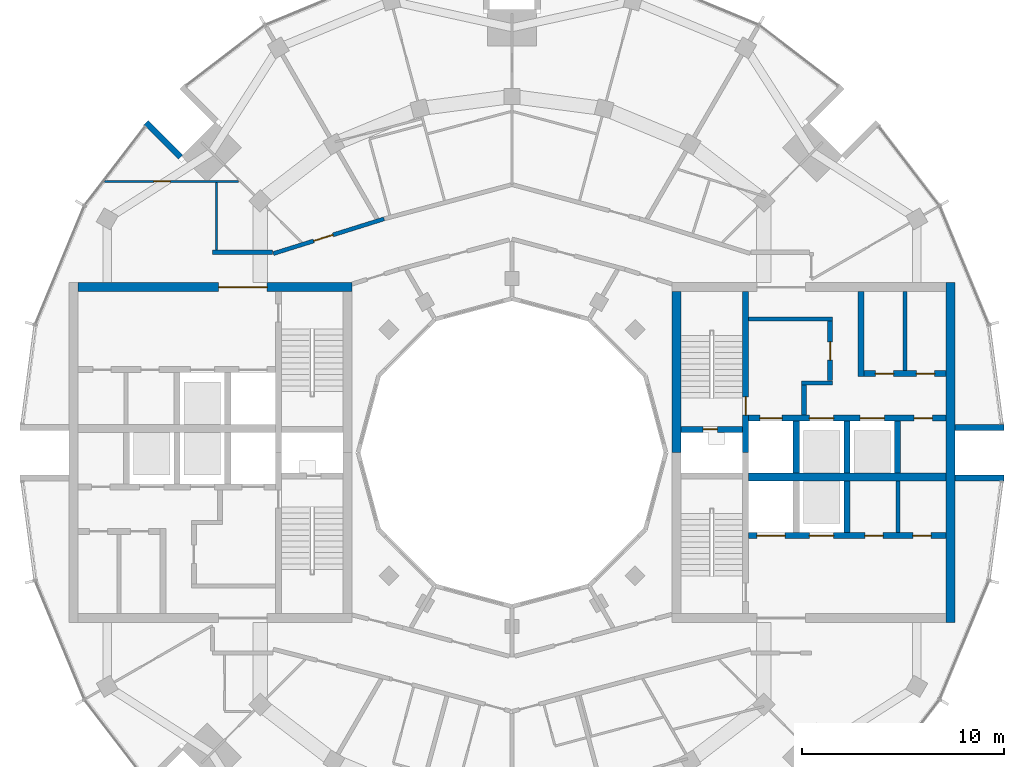
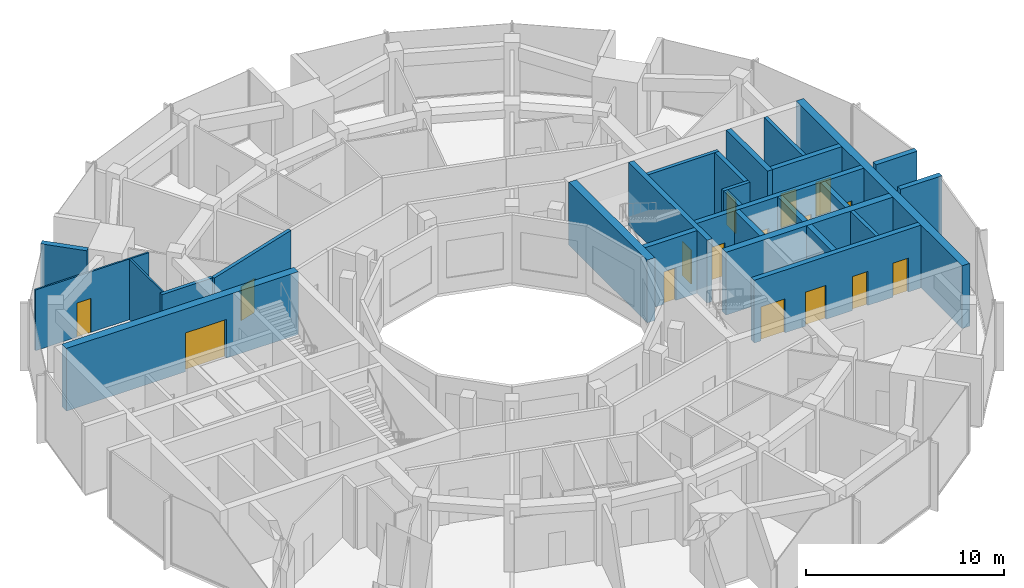
# One storey, part 11 of 15: 27 walls, 16 doors, 16 openings.
"""IFC4 building model written with IfcOpenShell, lengths in metres."""

from ifc_helpers import new_model, si_unit, direction, frame, frame_2d, origin, place, context, subcontext, project, spatial, rectangle, extrude, material, layer, layer_set, type_object, element, fill, save


model = new_model("IFC4")

# Units and contexts
model_context = context("Model", 3, precision=1e-05, world=origin(), true_north=direction((0.0, 1.0)))
body_context = subcontext(model_context, "Body", "Model", "MODEL_VIEW")
ifc_project = project(units=[si_unit("LENGTHUNIT", "METRE"), si_unit("AREAUNIT", "SQUARE_METRE"), si_unit("VOLUMEUNIT", "CUBIC_METRE"), si_unit("PLANEANGLEUNIT", "RADIAN"), si_unit("MASSUNIT", "GRAM", prefix="KILO")], contexts=[model_context])

# Site, building, storey
site_placement = place(None, origin())
site = spatial("IfcSite", under=ifc_project, at=site_placement, CompositionType="ELEMENT")
building_placement = place(site_placement, origin())
building = spatial("IfcBuilding", under=site, at=building_placement, Name="Torre Brocal", CompositionType="ELEMENT")
storey_placement = place(building_placement, frame((0.0, 0.0, 284.10009765625)))
storey = spatial("IfcBuildingStorey", under=building, at=storey_placement, Name="L65", CompositionType="ELEMENT", Elevation=284.10009765625)

# Walls
ifc_material_1 = material(Name="Masonry block", Category="masonry")
ifc_layer_1 = layer(ifc_material_1, 0.199951171875)
ifc_layer_set_1 = layer_set([ifc_layer_1], Name="Masonry block")
wall_type_1 = type_object("IfcWallType", Name="CORE PARTITION 200", PredefinedType="PARTITIONING", material=ifc_layer_set_1)
wall_1_placement = place(storey_placement, frame((99.074951171875, 71.050048828125, 0.0), z_axis=(0.0, 0.0, 1.0), x_axis=(0.0, 1.0, 0.0)))
element("IfcWall", 1, at=wall_1_placement, inside=storey, type_object=wall_type_1, Name="Wall CP200", PredefinedType="PARTITIONING", context=body_context, shape_type="SweptSolid", body=[
    extrude(rectangle(XDim=2.550048828125, YDim=0.199951171875, at=frame_2d((1.27490234375, 0.0))), origin(), (0.0, 0.0, 1.0), 3.8798828125),
])
wall_2_placement = place(storey_placement, frame((99.425048828125, 79.050048828125, 0.0), z_axis=(0.0, 0.0, 1.0), x_axis=(0.0, 1.0, 0.0)))
element("IfcWall", 2, at=wall_2_placement, inside=storey, type_object=wall_type_1, Name="Wall CP200", PredefinedType="PARTITIONING", context=body_context, shape_type="SweptSolid", body=[
    extrude(rectangle(XDim=3.89990234375, YDim=0.199951171875, at=frame_2d((1.949951171875, 0.0))), origin(), (0.0, 0.0, 1.0), 3.8798828125),
])
ifc_material_2 = material(Name="Concrete C50", Category="concrete")
ifc_layer_2 = layer(ifc_material_2, 0.199951171875)
ifc_layer_set_2 = layer_set([ifc_layer_2], Name="Concrete C50")
wall_type_2 = type_object("IfcWallType", Name="CORE WALL 200 C50", PredefinedType="SHEAR", material=ifc_layer_set_2)
wall_3_placement = place(storey_placement, frame((91.699951171875, 81.60009765625, 0.0), z_axis=(0.0, 0.0, 1.0), x_axis=(1.0, 0.0, 0.0)))
element("IfcWall", 3, at=wall_3_placement, inside=storey, type_object=wall_type_2, Name="Wall CW200-50", PredefinedType="SHEAR", context=body_context, shape_type="SweptSolid", body=[
    extrude(rectangle(XDim=4.150146484375, YDim=0.199951171875, at=frame_2d((2.0751953125, 0.0))), origin(), (0.0, 0.0, 1.0), 3.8798828125),
])
wall_4_placement = place(storey_placement, frame((94.300048828125, 78.449951171875, 0.0), z_axis=(0.0, 0.0, 1.0), x_axis=(1.0, 0.0, 0.0)))
element("IfcWall", 4, at=wall_4_placement, inside=storey, type_object=wall_type_2, Name="Wall CW200-50", PredefinedType="SHEAR", context=body_context, shape_type="SweptSolid", body=[
    extrude(rectangle(XDim=1.550048828125, YDim=0.199951171875, at=frame_2d((0.77490234375, 0.0))), origin(), (0.0, 0.0, 1.0), 3.8798828125),
])

# Wall, opening, door
ifc_material_3 = material(Name="Concrete C50", Category="concrete")
ifc_layer_3 = layer(ifc_material_3, 0.25)
ifc_layer_set_3 = layer_set([ifc_layer_3], Name="Concrete C50")
wall_type_3 = type_object("IfcWallType", Name="CORE WALL 250 C50", PredefinedType="SHEAR", material=ifc_layer_set_3)
wall_5_placement = place(storey_placement, frame((95.72509765625, 78.550048828125, 0.0), z_axis=(0.0, 0.0, 1.0), x_axis=(0.0, 1.0, 0.0)))
wall_5 = element("IfcWall", 5, at=wall_5_placement, inside=storey, type_object=wall_type_3, Name="Wall CW250-50", PredefinedType="SHEAR", context=body_context, shape_type="SweptSolid", body=[
    extrude(rectangle(XDim=2.949951171875, YDim=0.25, at=frame_2d((1.47509765625, 0.0))), origin(), (0.0, 0.0, 1.0), 3.8798828125),
])
opening_1_placement = place(wall_5_placement, frame((1.02490234375, 0.0, 0.0)))
opening_1 = element("IfcOpeningElement", 6, at=opening_1_placement, cuts=wall_5, Name="Opening E-D26", PredefinedType="OPENING", context=body_context, shape_type="SweptSolid", body=[
    extrude(rectangle(XDim=0.89990234375, YDim=2.10009765625, at=frame_2d((0.449951171875, 1.050048828125))), frame((0.0, 0.135009765625, 0.0), z_axis=(0.0, -1.0, 0.0), x_axis=(1.0, 0.0, 0.0)), (0.0, 0.0, 1.0), 0.27001953125),
])
ifc_material_4 = material(Name="Steel A653", Category="steel")
door_type_1 = type_object("IfcDoorType", Name="LOBBY DOOR FD120 900X2100", OperationType="SINGLE_SWING_RIGHT", PredefinedType="DOOR", material=ifc_material_4)
door_1_placement = place(opening_1_placement, origin())
door_1 = element("IfcDoor", 7, at=door_1_placement, inside=storey, type_object=door_type_1, Name="Door E-D26", OperationType="SINGLE_SWING_LEFT", OverallHeight=2.10009765625, OverallWidth=0.89990234375, PredefinedType="DOOR", context=body_context, shape_type="SweptSolid", body=[
    extrude(rectangle(XDim=0.89990234375, YDim=2.10009765625, at=frame_2d((0.449951171875, 1.050048828125))), frame((0.0, 0.02490234375, 0.0), z_axis=(0.0, -1.0, 0.0), x_axis=(1.0, 0.0, 0.0)), (0.0, 0.0, 1.0), 0.050048828125),
])
fill(opening_1, door_1)

# Wall
wall_6_placement = place(storey_placement, frame((94.425048828125, 76.85009765625, 0.0), z_axis=(0.0, 0.0, 1.0), x_axis=(0.0, 1.0, 0.0)))
element("IfcWall", 8, at=wall_6_placement, inside=storey, type_object=wall_type_3, Name="Wall CW250-50", PredefinedType="SHEAR", context=body_context, shape_type="SweptSolid", body=[
    extrude(rectangle(XDim=1.5, YDim=0.25, at=frame_2d((0.75, 0.0))), origin(), (0.0, 0.0, 1.0), 3.8798828125),
])

# Wall, opening, door
ifc_material_5 = material(Name="Concrete C50", Category="concrete")
ifc_layer_4 = layer(ifc_material_5, 0.300048828125)
ifc_layer_set_4 = layer_set([ifc_layer_4], Name="Concrete C50")
wall_type_4 = type_object("IfcWallType", Name="CORE WALL 300 C50", PredefinedType="SHEAR", material=ifc_layer_set_4)
wall_7_placement = place(storey_placement, frame((91.550048828125, 75.0, 0.0), z_axis=(0.0, 0.0, 1.0), x_axis=(0.0, 1.0, 0.0)))
wall_7 = element("IfcWall", 9, at=wall_7_placement, inside=storey, type_object=wall_type_4, Name="Wall CW300-50", PredefinedType="SHEAR", context=body_context, shape_type="SweptSolid", body=[
    extrude(rectangle(XDim=7.949951171875, YDim=0.300048828125, at=frame_2d((3.97509765625, 0.0))), origin(), (0.0, 0.0, 1.0), 3.8798828125),
])
opening_2_placement = place(wall_7_placement, frame((1.85009765625, 0.0, 0.0)))
opening_2 = element("IfcOpeningElement", 10, at=opening_2_placement, cuts=wall_7, Name="Opening E-D02", PredefinedType="OPENING", context=body_context, shape_type="SweptSolid", body=[
    extrude(rectangle(XDim=0.89990234375, YDim=2.10009765625, at=frame_2d((0.449951171875, 1.050048828125))), frame((0.0, 0.159912109375, 0.0), z_axis=(0.0, -1.0, 0.0), x_axis=(1.0, 0.0, 0.0)), (0.0, 0.0, 1.0), 0.320068359375),
])
ifc_material_6 = material(Name="Steel A653", Category="steel")
door_type_2 = type_object("IfcDoorType", Name="STAIR DOOR FD120 900X2100", OperationType="SINGLE_SWING_RIGHT", PredefinedType="DOOR", material=ifc_material_6)
door_2_placement = place(opening_2_placement, origin())
door_2 = element("IfcDoor", 11, at=door_2_placement, inside=storey, type_object=door_type_2, Name="Door E-D02", OperationType="SINGLE_SWING_LEFT", OverallHeight=2.10009765625, OverallWidth=0.89990234375, PredefinedType="DOOR", context=body_context, shape_type="SweptSolid", body=[
    extrude(rectangle(XDim=0.89990234375, YDim=2.10009765625, at=frame_2d((0.449951171875, 1.050048828125))), frame((0.0, 0.02490234375, 0.0), z_axis=(0.0, -1.0, 0.0), x_axis=(1.0, 0.0, 0.0)), (0.0, 0.0, 1.0), 0.050048828125),
])
fill(opening_2, door_2)

wall_8_placement = place(storey_placement, frame((88.35009765625, 76.14990234375, 0.0), z_axis=(0.0, 0.0, 1.0), x_axis=(1.0, 0.0, 0.0)))
wall_8 = element("IfcWall", 12, at=wall_8_placement, inside=storey, type_object=wall_type_4, Name="Wall CW300-50", PredefinedType="SHEAR", context=body_context, shape_type="SweptSolid", body=[
    extrude(rectangle(XDim=3.0498046875, YDim=0.300048828125, at=frame_2d((1.52490234375, 0.0))), origin(), (0.0, 0.0, 1.0), 3.8798828125),
])
opening_3_placement = place(wall_8_placement, frame((1.10009765625, 0.0, 0.0)))
opening_3 = element("IfcOpeningElement", 13, at=opening_3_placement, cuts=wall_8, Name="Opening E-D01", PredefinedType="OPENING", context=body_context, shape_type="SweptSolid", body=[
    extrude(rectangle(XDim=0.699951171875, YDim=2.0, at=frame_2d((0.35009765625, 1.0))), frame((0.0, 0.159912109375, 0.0), z_axis=(0.0, -1.0, 0.0), x_axis=(1.0, 0.0, 0.0)), (0.0, 0.0, 1.0), 0.320068359375),
])
ifc_material_7 = material(Name="Steel A653", Category="steel")
door_type_3 = type_object("IfcDoorType", Name="RISER DOOR FD120 700X2000", OperationType="SINGLE_SWING_LEFT", PredefinedType="DOOR", material=ifc_material_7)
door_3_placement = place(opening_3_placement, frame((0.699951171875, 0.0, 0.0), z_axis=(0.0, 0.0, 1.0), x_axis=(-1.0, 0.0, 0.0)))
door_3 = element("IfcDoor", 14, at=door_3_placement, inside=storey, type_object=door_type_3, Name="Door E-D01", OperationType="SINGLE_SWING_RIGHT", OverallHeight=2.0, OverallWidth=0.699951171875, PredefinedType="DOOR", context=body_context, shape_type="SweptSolid", body=[
    extrude(rectangle(XDim=0.699951171875, YDim=2.0, at=frame_2d((0.35009765625, 1.0))), frame((0.0, 0.02490234375, 0.0), z_axis=(0.0, -1.0, 0.0), x_axis=(1.0, 0.0, 0.0)), (0.0, 0.0, 1.0), 0.050048828125),
])
fill(opening_3, door_3)

# Wall, openings, doors
wall_9_placement = place(storey_placement, frame((91.699951171875, 76.699951171875, 0.0), z_axis=(0.0, 0.0, 1.0), x_axis=(1.0, 0.0, 0.0)))
wall_9 = element("IfcWall", 15, at=wall_9_placement, inside=storey, type_object=wall_type_4, Name="Wall CW300-50", PredefinedType="SHEAR", context=body_context, shape_type="SweptSolid", body=[
    extrude(rectangle(XDim=9.75, YDim=0.300048828125, at=frame_2d((4.875, 0.0))), origin(), (0.0, 0.0, 1.0), 3.8798828125),
])
opening_4_placement = place(wall_9_placement, frame((0.550048828125, 0.0, 0.0)))
opening_4 = element("IfcOpeningElement", 16, at=opening_4_placement, cuts=wall_9, Name="Opening LD", PredefinedType="OPENING", context=body_context, shape_type="SweptSolid", body=[
    extrude(rectangle(XDim=1.10009765625, YDim=2.10009765625, at=frame_2d((0.550048828125, 1.050048828125))), frame((0.0, 0.159912109375, 0.0), z_axis=(0.0, -1.0, 0.0), x_axis=(1.0, 0.0, 0.0)), (0.0, 0.0, 1.0), 0.320068359375),
])
opening_5_placement = place(wall_9_placement, frame((3.0, 0.0, 0.0)))
opening_5 = element("IfcOpeningElement", 17, at=opening_5_placement, cuts=wall_9, Name="Opening LD12", PredefinedType="OPENING", context=body_context, shape_type="SweptSolid", body=[
    extrude(rectangle(XDim=1.199951171875, YDim=2.10009765625, at=frame_2d((0.60009765625, 1.050048828125))), frame((0.0, 0.159912109375, 0.0), z_axis=(0.0, -1.0, 0.0), x_axis=(1.0, 0.0, 0.0)), (0.0, 0.0, 1.0), 0.320068359375),
])
opening_6_placement = place(wall_9_placement, frame((5.5, 0.0, 0.0)))
opening_6 = element("IfcOpeningElement", 18, at=opening_6_placement, cuts=wall_9, Name="Opening LD12", PredefinedType="OPENING", context=body_context, shape_type="SweptSolid", body=[
    extrude(rectangle(XDim=1.199951171875, YDim=2.10009765625, at=frame_2d((0.60009765625, 1.050048828125))), frame((0.0, 0.159912109375, 0.0), z_axis=(0.0, -1.0, 0.0), x_axis=(1.0, 0.0, 0.0)), (0.0, 0.0, 1.0), 0.320068359375),
])
opening_7_placement = place(wall_9_placement, frame((8.175048828125, 0.0, 0.0)))
opening_7 = element("IfcOpeningElement", 19, at=opening_7_placement, cuts=wall_9, Name="Opening E-D04", PredefinedType="OPENING", context=body_context, shape_type="SweptSolid", body=[
    extrude(rectangle(XDim=0.89990234375, YDim=2.10009765625, at=frame_2d((0.449951171875, 1.050048828125))), frame((0.0, 0.159912109375, 0.0), z_axis=(0.0, -1.0, 0.0), x_axis=(1.0, 0.0, 0.0)), (0.0, 0.0, 1.0), 0.320068359375),
])
ifc_material_8 = material(Name="Stainless steel AISI 316", Category="steel")
door_type_4 = type_object("IfcDoorType", Name="LIFT LANDING DOOR 1100X2100", OperationType="DOUBLE_DOOR_SLIDING", PredefinedType="DOOR", material=ifc_material_8)
door_4_placement = place(opening_4_placement, origin())
door_4 = element("IfcDoor", 20, at=door_4_placement, inside=storey, type_object=door_type_4, Name="Door LD", OperationType="DOUBLE_DOOR_SLIDING", OverallHeight=2.10009765625, OverallWidth=1.10009765625, PredefinedType="DOOR", context=body_context, shape_type="SweptSolid", body=[
    extrude(rectangle(XDim=1.10009765625, YDim=2.10009765625, at=frame_2d((0.550048828125, 1.050048828125))), frame((0.0, 0.02490234375, 0.0), z_axis=(0.0, -1.0, 0.0), x_axis=(1.0, 0.0, 0.0)), (0.0, 0.0, 1.0), 0.050048828125),
])
fill(opening_4, door_4)
ifc_material_9 = material(Name="Stainless steel AISI 316", Category="steel")
door_type_5 = type_object("IfcDoorType", Name="LIFT LANDING DOOR 1200X2100", OperationType="DOUBLE_DOOR_SLIDING", PredefinedType="DOOR", material=ifc_material_9)
door_5_placement = place(opening_5_placement, origin())
door_5 = element("IfcDoor", 21, at=door_5_placement, inside=storey, type_object=door_type_5, Name="Door LD12", OperationType="DOUBLE_DOOR_SLIDING", OverallHeight=2.10009765625, OverallWidth=1.199951171875, PredefinedType="DOOR", context=body_context, shape_type="SweptSolid", body=[
    extrude(rectangle(XDim=1.199951171875, YDim=2.10009765625, at=frame_2d((0.60009765625, 1.050048828125))), frame((0.0, 0.02490234375, 0.0), z_axis=(0.0, -1.0, 0.0), x_axis=(1.0, 0.0, 0.0)), (0.0, 0.0, 1.0), 0.050048828125),
])
fill(opening_5, door_5)
door_6_placement = place(opening_6_placement, origin())
door_6 = element("IfcDoor", 22, at=door_6_placement, inside=storey, type_object=door_type_5, Name="Door LD12", OperationType="DOUBLE_DOOR_SLIDING", OverallHeight=2.10009765625, OverallWidth=1.199951171875, PredefinedType="DOOR", context=body_context, shape_type="SweptSolid", body=[
    extrude(rectangle(XDim=1.199951171875, YDim=2.10009765625, at=frame_2d((0.60009765625, 1.050048828125))), frame((0.0, 0.02490234375, 0.0), z_axis=(0.0, -1.0, 0.0), x_axis=(1.0, 0.0, 0.0)), (0.0, 0.0, 1.0), 0.050048828125),
])
fill(opening_6, door_6)
ifc_material_10 = material(Name="Steel A653", Category="steel")
door_type_6 = type_object("IfcDoorType", Name="ROOM DOOR FD30S 900X2100", OperationType="SINGLE_SWING_LEFT", PredefinedType="DOOR", material=ifc_material_10)
door_7_placement = place(opening_7_placement, frame((0.89990234375, 0.0, 0.0), z_axis=(0.0, 0.0, 1.0), x_axis=(-1.0, 0.0, 0.0)))
door_7 = element("IfcDoor", 23, at=door_7_placement, inside=storey, type_object=door_type_6, Name="Door E-D04", OperationType="SINGLE_SWING_LEFT", OverallHeight=2.10009765625, OverallWidth=0.89990234375, PredefinedType="DOOR", context=body_context, shape_type="SweptSolid", body=[
    extrude(rectangle(XDim=0.89990234375, YDim=2.10009765625, at=frame_2d((0.449951171875, 1.050048828125))), frame((0.0, 0.02490234375, 0.0), z_axis=(0.0, -1.0, 0.0), x_axis=(1.0, 0.0, 0.0)), (0.0, 0.0, 1.0), 0.050048828125),
])
fill(opening_7, door_7)

wall_10_placement = place(storey_placement, frame((91.699951171875, 70.89990234375, 0.0), z_axis=(0.0, 0.0, 1.0), x_axis=(1.0, 0.0, 0.0)))
wall_10 = element("IfcWall", 24, at=wall_10_placement, inside=storey, type_object=wall_type_4, Name="Wall CW300-50", PredefinedType="SHEAR", context=body_context, shape_type="SweptSolid", body=[
    extrude(rectangle(XDim=9.75, YDim=0.300048828125, at=frame_2d((4.875, 0.0))), origin(), (0.0, 0.0, 1.0), 3.8798828125),
])
opening_8_placement = place(wall_10_placement, frame((0.39990234375, 0.0, 0.0)))
opening_8 = element("IfcOpeningElement", 25, at=opening_8_placement, cuts=wall_10, Name="Opening LD14", PredefinedType="OPENING", context=body_context, shape_type="SweptSolid", body=[
    extrude(rectangle(XDim=1.39990234375, YDim=2.10009765625, at=frame_2d((0.699951171875, 1.050048828125))), frame((0.0, 0.159912109375, 0.0), z_axis=(0.0, -1.0, 0.0), x_axis=(1.0, 0.0, 0.0)), (0.0, 0.0, 1.0), 0.320068359375),
])
opening_9_placement = place(wall_10_placement, frame((3.0, 0.0, 0.0)))
opening_9 = element("IfcOpeningElement", 26, at=opening_9_placement, cuts=wall_10, Name="Opening LD12", PredefinedType="OPENING", context=body_context, shape_type="SweptSolid", body=[
    extrude(rectangle(XDim=1.199951171875, YDim=2.10009765625, at=frame_2d((0.60009765625, 1.050048828125))), frame((0.0, 0.159912109375, 0.0), z_axis=(0.0, -1.0, 0.0), x_axis=(1.0, 0.0, 0.0)), (0.0, 0.0, 1.0), 0.320068359375),
])
opening_10_placement = place(wall_10_placement, frame((5.737548828125, 0.0, 0.0)))
opening_10 = element("IfcOpeningElement", 27, at=opening_10_placement, cuts=wall_10, Name="Opening E-D05", PredefinedType="OPENING", context=body_context, shape_type="SweptSolid", body=[
    extrude(rectangle(XDim=0.89990234375, YDim=2.10009765625, at=frame_2d((0.449951171875, 1.050048828125))), frame((0.0, 0.159912109375, 0.0), z_axis=(0.0, -1.0, 0.0), x_axis=(1.0, 0.0, 0.0)), (0.0, 0.0, 1.0), 0.320068359375),
])
opening_11_placement = place(wall_10_placement, frame((8.112548828125, 0.0, 0.0)))
opening_11 = element("IfcOpeningElement", 28, at=opening_11_placement, cuts=wall_10, Name="Opening E-D06", PredefinedType="OPENING", context=body_context, shape_type="SweptSolid", body=[
    extrude(rectangle(XDim=0.89990234375, YDim=2.10009765625, at=frame_2d((0.449951171875, 1.050048828125))), frame((0.0, 0.159912109375, 0.0), z_axis=(0.0, -1.0, 0.0), x_axis=(1.0, 0.0, 0.0)), (0.0, 0.0, 1.0), 0.320068359375),
])
door_8_placement = place(opening_9_placement, origin())
door_8 = element("IfcDoor", 29, at=door_8_placement, inside=storey, type_object=door_type_5, Name="Door LD12", OperationType="DOUBLE_DOOR_SLIDING", OverallHeight=2.10009765625, OverallWidth=1.199951171875, PredefinedType="DOOR", context=body_context, shape_type="SweptSolid", body=[
    extrude(rectangle(XDim=1.199951171875, YDim=2.10009765625, at=frame_2d((0.60009765625, 1.050048828125))), frame((0.0, 0.02490234375, 0.0), z_axis=(0.0, -1.0, 0.0), x_axis=(1.0, 0.0, 0.0)), (0.0, 0.0, 1.0), 0.050048828125),
])
fill(opening_9, door_8)
ifc_material_11 = material(Name="Stainless steel AISI 316", Category="steel")
door_type_7 = type_object("IfcDoorType", Name="LIFT LANDING DOOR 1400X2100", OperationType="DOUBLE_DOOR_SLIDING", PredefinedType="DOOR", material=ifc_material_11)
door_9_placement = place(opening_8_placement, origin())
door_9 = element("IfcDoor", 30, at=door_9_placement, inside=storey, type_object=door_type_7, Name="Door LD14", OperationType="DOUBLE_DOOR_SLIDING", OverallHeight=2.10009765625, OverallWidth=1.39990234375, PredefinedType="DOOR", context=body_context, shape_type="SweptSolid", body=[
    extrude(rectangle(XDim=1.39990234375, YDim=2.10009765625, at=frame_2d((0.699951171875, 1.050048828125))), frame((0.0, 0.02490234375, 0.0), z_axis=(0.0, -1.0, 0.0), x_axis=(1.0, 0.0, 0.0)), (0.0, 0.0, 1.0), 0.050048828125),
])
fill(opening_8, door_9)
door_10_placement = place(opening_10_placement, origin())
door_10 = element("IfcDoor", 31, at=door_10_placement, inside=storey, type_object=door_type_6, Name="Door E-D05", OperationType="SINGLE_SWING_RIGHT", OverallHeight=2.10009765625, OverallWidth=0.89990234375, PredefinedType="DOOR", context=body_context, shape_type="SweptSolid", body=[
    extrude(rectangle(XDim=0.89990234375, YDim=2.10009765625, at=frame_2d((0.449951171875, 1.050048828125))), frame((0.0, 0.02490234375, 0.0), z_axis=(0.0, -1.0, 0.0), x_axis=(1.0, 0.0, 0.0)), (0.0, 0.0, 1.0), 0.050048828125),
])
fill(opening_10, door_10)
door_11_placement = place(opening_11_placement, origin())
door_11 = element("IfcDoor", 32, at=door_11_placement, inside=storey, type_object=door_type_6, Name="Door E-D06", OperationType="SINGLE_SWING_LEFT", OverallHeight=2.10009765625, OverallWidth=0.89990234375, PredefinedType="DOOR", context=body_context, shape_type="SweptSolid", body=[
    extrude(rectangle(XDim=0.89990234375, YDim=2.10009765625, at=frame_2d((0.449951171875, 1.050048828125))), frame((0.0, 0.02490234375, 0.0), z_axis=(0.0, -1.0, 0.0), x_axis=(1.0, 0.0, 0.0)), (0.0, 0.0, 1.0), 0.050048828125),
])
fill(opening_11, door_11)

# Walls
for number, where, z_axis, x_axis, name in (
    (33, (94.050048828125, 74.0, 0.0), (0.0, 0.0, 1.0), (0.0, 1.0, 0.0), "Wall CW300-50"),
    (34, (96.550048828125, 74.0, 0.0), (0.0, 0.0, 1.0), (0.0, 1.0, 0.0), "Wall CW300-50"),
    (35, (99.050048828125, 74.0, 0.0), (0.0, 0.0, 1.0), (0.0, 1.0, 0.0), "Wall CW300-50"),
    (36, (96.550048828125, 71.050048828125, 0.0), (0.0, 0.0, 1.0), (0.0, 1.0, 0.0), "Wall CW300-50"),
):
    element("IfcWall", number, at=place(storey_placement, frame(where, z_axis=z_axis, x_axis=x_axis)), inside=storey, type_object=wall_type_4, Name=name, PredefinedType="SHEAR", context=body_context, shape_type="SweptSolid", body=[
        extrude(rectangle(XDim=2.550048828125, YDim=0.300048828125, at=frame_2d((1.27490234375, 0.0))), origin(), (0.0, 0.0, 1.0), 3.8798828125),
    ])
wall_11_placement = place(storey_placement, frame((97.25, 78.75, 0.0), z_axis=(0.0, 0.0, 1.0), x_axis=(0.0, 1.0, 0.0)))
element("IfcWall", 37, at=wall_11_placement, inside=storey, type_object=wall_type_4, Name="Wall CW300-50", PredefinedType="SHEAR", context=body_context, shape_type="SweptSolid", body=[
    extrude(rectangle(XDim=4.199951171875, YDim=0.300048828125, at=frame_2d((2.10009765625, 0.0))), origin(), (0.0, 0.0, 1.0), 3.8798828125),
])

# Wall, openings, doors
wall_12_placement = place(storey_placement, frame((97.39990234375, 78.89990234375, 0.0), z_axis=(0.0, 0.0, 1.0), x_axis=(1.0, 0.0, 0.0)))
wall_12 = element("IfcWall", 38, at=wall_12_placement, inside=storey, type_object=wall_type_4, Name="Wall CW300-50", PredefinedType="SHEAR", context=body_context, shape_type="SweptSolid", body=[
    extrude(rectangle(XDim=4.050048828125, YDim=0.300048828125, at=frame_2d((2.02490234375, 0.0))), origin(), (0.0, 0.0, 1.0), 3.8798828125),
])
opening_12_placement = place(wall_12_placement, frame((0.5625, 0.0, 0.0)))
opening_12 = element("IfcOpeningElement", 39, at=opening_12_placement, cuts=wall_12, Name="Opening E-D28", PredefinedType="OPENING", context=body_context, shape_type="SweptSolid", body=[
    extrude(rectangle(XDim=0.89990234375, YDim=2.10009765625, at=frame_2d((0.449951171875, 1.050048828125))), frame((0.0, 0.159912109375, 0.0), z_axis=(0.0, -1.0, 0.0), x_axis=(1.0, 0.0, 0.0)), (0.0, 0.0, 1.0), 0.320068359375),
])
opening_13_placement = place(wall_12_placement, frame((2.58740234375, 0.0, 0.0)))
opening_13 = element("IfcOpeningElement", 40, at=opening_13_placement, cuts=wall_12, Name="Opening E-D09", PredefinedType="OPENING", context=body_context, shape_type="SweptSolid", body=[
    extrude(rectangle(XDim=0.89990234375, YDim=2.10009765625, at=frame_2d((0.449951171875, 1.050048828125))), frame((0.0, 0.159912109375, 0.0), z_axis=(0.0, -1.0, 0.0), x_axis=(1.0, 0.0, 0.0)), (0.0, 0.0, 1.0), 0.320068359375),
])
door_12_placement = place(opening_12_placement, origin())
door_12 = element("IfcDoor", 41, at=door_12_placement, inside=storey, type_object=door_type_6, Name="Door E-D28", OperationType="SINGLE_SWING_RIGHT", OverallHeight=2.10009765625, OverallWidth=0.89990234375, PredefinedType="DOOR", context=body_context, shape_type="SweptSolid", body=[
    extrude(rectangle(XDim=0.89990234375, YDim=2.10009765625, at=frame_2d((0.449951171875, 1.050048828125))), frame((0.0, 0.02490234375, 0.0), z_axis=(0.0, -1.0, 0.0), x_axis=(1.0, 0.0, 0.0)), (0.0, 0.0, 1.0), 0.050048828125),
])
fill(opening_12, door_12)
door_13_placement = place(opening_13_placement, origin())
door_13 = element("IfcDoor", 42, at=door_13_placement, inside=storey, type_object=door_type_6, Name="Door E-D09", OperationType="SINGLE_SWING_LEFT", OverallHeight=2.10009765625, OverallWidth=0.89990234375, PredefinedType="DOOR", context=body_context, shape_type="SweptSolid", body=[
    extrude(rectangle(XDim=0.89990234375, YDim=2.10009765625, at=frame_2d((0.449951171875, 1.050048828125))), frame((0.0, 0.02490234375, 0.0), z_axis=(0.0, -1.0, 0.0), x_axis=(1.0, 0.0, 0.0)), (0.0, 0.0, 1.0), 0.050048828125),
])
fill(opening_13, door_13)

# Walls
ifc_material_12 = material(Name="Concrete C50", Category="concrete")
ifc_layer_5 = layer(ifc_material_12, 0.39990234375)
ifc_layer_set_5 = layer_set([ifc_layer_5], Name="Concrete C50")
wall_type_5 = type_object("IfcWallType", Name="CORE WALL 400 C50", PredefinedType="SHEAR", material=ifc_layer_set_5)
wall_13_placement = place(storey_placement, frame((91.699951171875, 73.800048828125, 0.0), z_axis=(0.0, 0.0, 1.0), x_axis=(1.0, 0.0, 0.0)))
element("IfcWall", 43, at=wall_13_placement, inside=storey, type_object=wall_type_5, Name="Wall CW400-50", PredefinedType="SHEAR", context=body_context, shape_type="SweptSolid", body=[
    extrude(rectangle(XDim=9.75, YDim=0.39990234375, at=frame_2d((4.875, 0.0))), origin(), (0.0, 0.0, 1.0), 3.8798828125),
])
ifc_material_13 = material(Name="Concrete C50", Category="concrete")
ifc_layer_6 = layer(ifc_material_13, 0.449951171875)
ifc_layer_set_6 = layer_set([ifc_layer_6], Name="Concrete C50")
wall_type_6 = type_object("IfcWallType", Name="CORE WALL 450 C50", PredefinedType="SHEAR", material=ifc_layer_set_6)
wall_14_placement = place(storey_placement, frame((88.125, 75.0, 0.0), z_axis=(0.0, 0.0, 1.0), x_axis=(0.0, 1.0, 0.0)))
element("IfcWall", 44, at=wall_14_placement, inside=storey, type_object=wall_type_6, Name="Wall CW450-50", PredefinedType="SHEAR", context=body_context, shape_type="SweptSolid", body=[
    extrude(rectangle(XDim=7.949951171875, YDim=0.449951171875, at=frame_2d((3.97509765625, 0.0))), origin(), (0.0, 0.0, 1.0), 3.8798828125),
])
wall_15_placement = place(storey_placement, frame((101.675048828125, 66.60009765625, 0.0), z_axis=(0.0, 0.0, 1.0), x_axis=(0.0, 1.0, 0.0)))
element("IfcWall", 45, at=wall_15_placement, inside=storey, type_object=wall_type_6, Name="Wall CW450-50", PredefinedType="SHEAR", context=body_context, shape_type="SweptSolid", body=[
    extrude(rectangle(XDim=16.7998046875, YDim=0.449951171875, at=frame_2d((8.39990234375, 0.0))), origin(), (0.0, 0.0, 1.0), 3.8798828125),
])

# Wall, opening, door
wall_16_placement = place(storey_placement, frame((72.10009765625, 83.175048828125, 0.0), z_axis=(0.0, 0.0, 1.0), x_axis=(-1.0, 0.0, 0.0)))
wall_16 = element("IfcWall", 46, at=wall_16_placement, inside=storey, type_object=wall_type_6, Name="Wall CW450-50", PredefinedType="SHEAR", context=body_context, shape_type="SweptSolid", body=[
    extrude(rectangle(XDim=13.550048828125, YDim=0.449951171875, at=frame_2d((6.77490234375, 0.0))), origin(), (0.0, 0.0, 1.0), 3.8798828125),
])
opening_14_placement = place(wall_16_placement, frame((4.199951171875, 0.0, 0.0)))
opening_14 = element("IfcOpeningElement", 47, at=opening_14_placement, cuts=wall_16, Name="Opening W-D34", PredefinedType="OPENING", context=body_context, shape_type="SweptSolid", body=[
    extrude(rectangle(XDim=2.39990234375, YDim=2.39990234375, at=frame_2d((1.199951171875, 1.199951171875))), frame((0.0, 0.23486328125, 0.0), z_axis=(0.0, -1.0, 0.0), x_axis=(1.0, 0.0, 0.0)), (0.0, 0.0, 1.0), 0.469970703125),
])
ifc_material_14 = material(Name="Steel A653", Category="steel")
door_type_8 = type_object("IfcDoorType", Name="DOUBLE FIRE DOOR FD90 2400X2400", OperationType="DOUBLE_DOOR_SINGLE_SWING", PredefinedType="DOOR", material=ifc_material_14)
door_14_placement = place(opening_14_placement, origin())
door_14 = element("IfcDoor", 48, at=door_14_placement, inside=storey, type_object=door_type_8, Name="Door W-D34", OperationType="DOUBLE_DOOR_SINGLE_SWING", OverallHeight=2.39990234375, OverallWidth=2.39990234375, PredefinedType="DOOR", context=body_context, shape_type="SweptSolid", body=[
    extrude(rectangle(XDim=2.39990234375, YDim=2.39990234375, at=frame_2d((1.199951171875, 1.199951171875))), frame((0.0, 0.02490234375, 0.0), z_axis=(0.0, -1.0, 0.0), x_axis=(1.0, 0.0, 0.0)), (0.0, 0.0, 1.0), 0.050048828125),
])
fill(opening_14, door_14)

# Walls
ifc_material_15 = material(Name="Concrete C50", Category="concrete")
ifc_layer_7 = layer(ifc_material_15, 0.300048828125)
ifc_layer_set_7 = layer_set([ifc_layer_7], Name="Concrete C50")
wall_type_7 = type_object("IfcWallType", Name="NOTCH RETURN WALL 300 C50", PredefinedType="NOTDEFINED", material=ifc_layer_set_7)
for number, where, z_axis, x_axis, name in (
    (49, (101.89990234375, 73.75, 0.0), (0.0, 0.0, 1.0), (1.0, 0.0, 0.0), "NOTCH RETURN WALL"),
    (50, (101.89990234375, 76.25, 0.0), (0.0, 0.0, 1.0), (1.0, 0.0, 0.0), "NOTCH RETURN WALL"),
):
    element("IfcWall", number, at=place(storey_placement, frame(where, z_axis=z_axis, x_axis=x_axis)), inside=storey, type_object=wall_type_7, Name=name, PredefinedType="NOTDEFINED", context=body_context, shape_type="SweptSolid", body=[
        extrude(rectangle(XDim=2.415771484375, YDim=0.300048828125, at=frame_2d((1.2080078125, 0.0))), origin(), (0.0, 0.0, 1.0), 4.199951171875),
    ])
wall_17_placement = place(storey_placement, frame((63.63037109375, 89.601806640625, 0.0), z_axis=(0.0, 0.0, 1.0), x_axis=(-0.707106781187, 0.707106781187, 0.0)))
element("IfcWall", 51, at=wall_17_placement, inside=storey, type_object=wall_type_7, Name="NOTCH RETURN WALL", PredefinedType="NOTDEFINED", context=body_context, shape_type="SweptSolid", body=[
    extrude(rectangle(XDim=2.41552734375, YDim=0.300048828125, at=frame_2d((1.207763671875, 0.0))), origin(), (0.0, 0.0, 1.0), 4.199951171875),
])

# Wall, opening, door
ifc_material_16 = material(Name="Gypsum board", Category="Gypsum")
ifc_layer_8 = layer(ifc_material_16, 0.10009765625)
ifc_layer_set_8 = layer_set([ifc_layer_8], Name="Gypsum board")
wall_type_8 = type_object("IfcWallType", Name="PARTITION 100", PredefinedType="PARTITIONING", material=ifc_layer_set_8)
wall_18_placement = place(storey_placement, frame((59.8701171875, 88.39990234375, 0.0), z_axis=(0.0, 0.0, 1.0), x_axis=(1.0, 0.0, 0.0)))
wall_18 = element("IfcWall", 52, at=wall_18_placement, inside=storey, type_object=wall_type_8, Name="BATHROOM WALL", PredefinedType="PARTITIONING", context=body_context, shape_type="SweptSolid", body=[
    extrude(rectangle(XDim=6.619873046875, YDim=0.10009765625, at=frame_2d((3.31005859375, 0.0))), origin(), (0.0, 0.0, 1.0), 3.75),
])
opening_15_placement = place(wall_18_placement, frame((2.429931640625, 0.0, 0.0)))
opening_15 = element("IfcOpeningElement", 53, at=opening_15_placement, cuts=wall_18, Name="Opening N01-D16", PredefinedType="OPENING", context=body_context, shape_type="SweptSolid", body=[
    extrude(rectangle(XDim=0.800048828125, YDim=2.10009765625, at=frame_2d((0.39990234375, 1.050048828125))), frame((0.0, 0.06005859375, 0.0), z_axis=(0.0, -1.0, 0.0), x_axis=(1.0, 0.0, 0.0)), (0.0, 0.0, 1.0), 0.1201171875),
])
ifc_material_17 = material(Name="Timber", Category="wood")
door_type_9 = type_object("IfcDoorType", Name="BATHROOM DOOR 800X2100", OperationType="SINGLE_SWING_LEFT", PredefinedType="DOOR", material=ifc_material_17)
door_15_placement = place(opening_15_placement, frame((0.800048828125, 0.0, 0.0), z_axis=(0.0, 0.0, 1.0), x_axis=(-1.0, 0.0, 0.0)))
door_15 = element("IfcDoor", 54, at=door_15_placement, inside=storey, type_object=door_type_9, Name="N01-D16", OperationType="SINGLE_SWING_LEFT", OverallHeight=2.10009765625, OverallWidth=0.800048828125, PredefinedType="DOOR", context=body_context, shape_type="SweptSolid", body=[
    extrude(rectangle(XDim=0.800048828125, YDim=2.10009765625, at=frame_2d((0.39990234375, 1.050048828125))), frame((0.0, 0.02490234375, 0.0), z_axis=(0.0, -1.0, 0.0), x_axis=(1.0, 0.0, 0.0)), (0.0, 0.0, 1.0), 0.050048828125),
])
fill(opening_15, door_15)

# Walls
wall_19_placement = place(storey_placement, frame((65.39990234375, 85.0, 0.0), z_axis=(0.0, 0.0, 1.0), x_axis=(0.0, 1.0, 0.0)))
element("IfcWall", 55, at=wall_19_placement, inside=storey, type_object=wall_type_8, Name="BATHROOM WALL", PredefinedType="PARTITIONING", context=body_context, shape_type="SweptSolid", body=[
    extrude(rectangle(XDim=3.35009765625, YDim=0.10009765625, at=frame_2d((1.675048828125, 0.0))), origin(), (0.0, 0.0, 1.0), 3.75),
])
ifc_material_18 = material(Name="Gypsum board", Category="Gypsum")
ifc_layer_9 = layer(ifc_material_18, 0.199951171875)
ifc_layer_set_9 = layer_set([ifc_layer_9], Name="Gypsum board")
wall_type_9 = type_object("IfcWallType", Name="PARTITION 200 EI60", PredefinedType="PARTITIONING", material=ifc_layer_set_9)
wall_20_placement = place(storey_placement, frame((65.199951171875, 84.89990234375, 0.0), z_axis=(0.0, 0.0, 1.0), x_axis=(1.0, 0.0, 0.0)))
element("IfcWall", 56, at=wall_20_placement, inside=storey, type_object=wall_type_9, Name="CORRIDOR WALL", PredefinedType="PARTITIONING", context=body_context, shape_type="SweptSolid", body=[
    extrude(rectangle(XDim=2.969970703125, YDim=0.199951171875, at=frame_2d((1.48486328125, 0.0))), origin(), (0.0, 0.0, 1.0), 3.75),
])

# Wall, opening, door
wall_21_placement = place(storey_placement, frame((68.199951171875, 84.833251953125, 0.0), z_axis=(0.0, 0.0, 1.0), x_axis=(0.954191968402, 0.299195065863, 0.0)))
wall_21 = element("IfcWall", 57, at=wall_21_placement, inside=storey, type_object=wall_type_9, Name="FLAT ENTRANCE WALL", PredefinedType="PARTITIONING", context=body_context, shape_type="SweptSolid", body=[
    extrude(rectangle(XDim=5.740478515625, YDim=0.199951171875, at=frame_2d((2.8701171875, 0.0))), origin(), (0.0, 0.0, 1.0), 3.75),
])
opening_16_placement = place(wall_21_placement, frame((2.096923828125, 0.0, 0.0)))
opening_16 = element("IfcOpeningElement", 58, at=opening_16_placement, cuts=wall_21, Name="Opening N01-D14", PredefinedType="OPENING", context=body_context, shape_type="SweptSolid", body=[
    extrude(rectangle(XDim=1.0, YDim=2.10009765625, at=frame_2d((0.5, 1.050048828125))), frame((0.0, 0.10986328125, 0.0), z_axis=(0.0, -1.0, 0.0), x_axis=(1.0, 0.0, 0.0)), (0.0, 0.0, 1.0), 0.219970703125),
])
ifc_material_19 = material(Name="Timber", Category="wood")
door_type_10 = type_object("IfcDoorType", Name="FLAT ENTRY DOOR FD30S 1000X2100", OperationType="SINGLE_SWING_RIGHT", PredefinedType="DOOR", material=ifc_material_19)
door_16_placement = place(opening_16_placement, origin())
door_16 = element("IfcDoor", 59, at=door_16_placement, inside=storey, type_object=door_type_10, Name="N01-D14", OperationType="SINGLE_SWING_LEFT", OverallHeight=2.10009765625, OverallWidth=1.0, PredefinedType="DOOR", context=body_context, shape_type="SweptSolid", body=[
    extrude(rectangle(XDim=1.0, YDim=2.10009765625, at=frame_2d((0.5, 1.050048828125))), frame((0.0, 0.02490234375, 0.0), z_axis=(0.0, -1.0, 0.0), x_axis=(1.0, 0.0, 0.0)), (0.0, 0.0, 1.0), 0.050048828125),
])
fill(opening_16, door_16)

save(model, "model.ifc")
